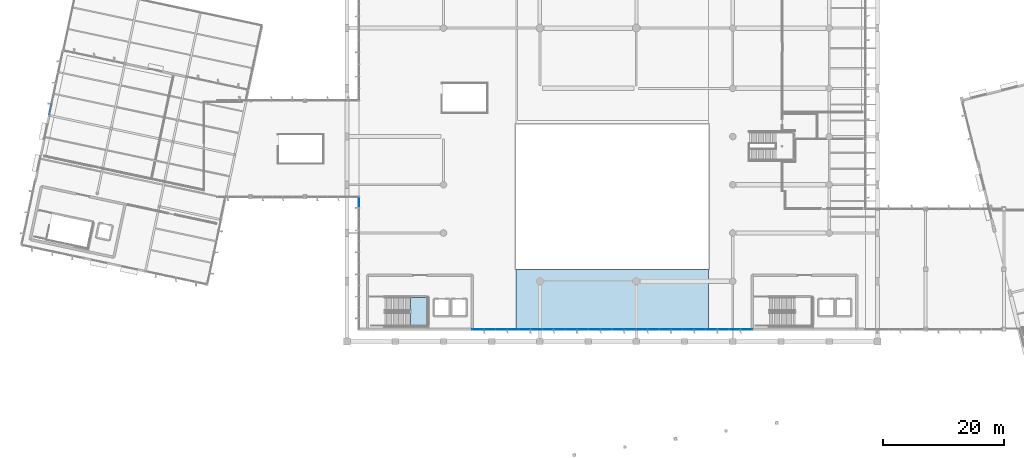
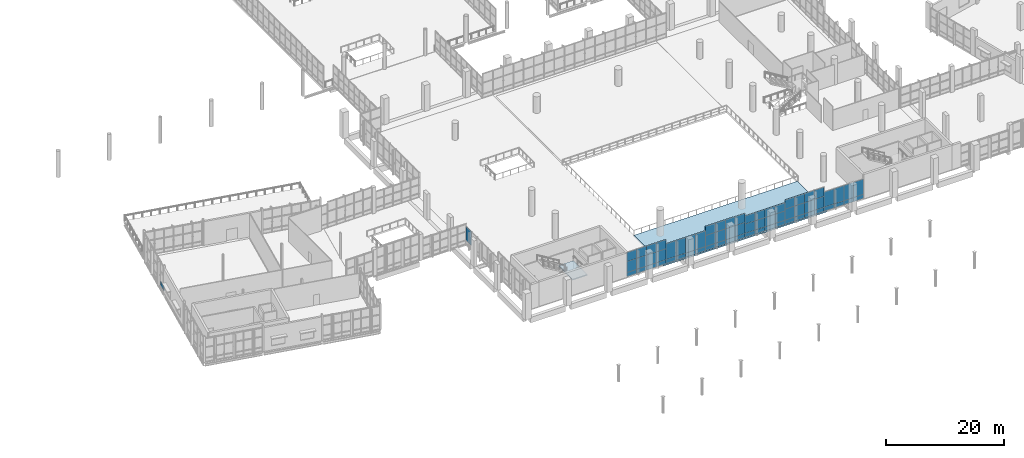
# One storey, part 121 of 176: 66 plates, 2 slabs, 9 elements without a shape of their own.
"""IFC4 building model written with IfcOpenShell, lengths in metres."""

from ifc_helpers import new_model, si_unit, direction, frame, origin, origin_2d, place, context, subcontext, project, spatial, polyline, rectangle, outline, extrude, material, layer, layer_set, type_object, element, aggregate, save


model = new_model("IFC4")

# Units and contexts
model_context = context("Model", 3, precision=1e-05, world=origin(), true_north=direction((0.0, 1.0)))
body_context = subcontext(model_context, "Body", "Model", "MODEL_VIEW")
ifc_project = project(units=[si_unit("LENGTHUNIT", "METRE"), si_unit("AREAUNIT", "SQUARE_METRE"), si_unit("VOLUMEUNIT", "CUBIC_METRE"), si_unit("PLANEANGLEUNIT", "RADIAN"), si_unit("MASSUNIT", "GRAM", prefix="KILO")], contexts=[model_context])

# Site, building, storey
site_placement = place(None, origin())
site = spatial("IfcSite", under=ifc_project, at=site_placement, CompositionType="ELEMENT")
building_placement = place(site_placement, origin())
building = spatial("IfcBuilding", under=site, at=building_placement, Name="Khorjan Park Terminus", CompositionType="ELEMENT")
storey_placement = place(building_placement, frame((0.0, 0.0, 6.0)))
storey = spatial("IfcBuildingStorey", under=building, at=storey_placement, Name="L01", CompositionType="ELEMENT", Elevation=6.0)

# Curtain wall, plates
ifc_material_1 = material(Name="Anodized Bronze Aluminium", Category="aluminium")
ifc_layer_1 = layer(ifc_material_1, 0.22)
ifc_layer_set_1 = layer_set([ifc_layer_1], Name="Anodized Bronze Aluminium")
curtain_wall_type_1 = type_object("IfcCurtainWallType", Name="CW-CONC-A", PredefinedType="NOTDEFINED", material=ifc_layer_set_1)
curtain_wall_1_placement = place(storey_placement, origin())
curtain_wall_1 = element("IfcCurtainWall", 1, at=curtain_wall_1_placement, inside=storey, type_object=curtain_wall_type_1, Name="Unitized curtain wall CW-A (CW-V2-S-L01-02)", PredefinedType="NOTDEFINED")
ifc_material_2 = material(Name="Triple Low-E High-Selectivity Glazing", Category="glass")
ifc_layer_2 = layer(ifc_material_2, 0.04)
ifc_layer_set_2 = layer_set([ifc_layer_2], Name="Triple Low-E High-Selectivity Glazing")
plate_type_1 = type_object("IfcPlateType", Name="GL-VIS-40", PredefinedType="CURTAIN_PANEL", material=ifc_layer_set_2)
plate_1_placement = place(storey_placement, frame((69.7625, 28.0, 0.8501), z_axis=(0.0, 0.0, 1.0), x_axis=(1.0, 0.0, 0.0)))
plate_1 = element("IfcPlate", 2, at=plate_1_placement, type_object=plate_type_1, Name="Curtain-wall panel VP-40 (CW-V2-S-L01-02-0-2)", PredefinedType="CURTAIN_PANEL", context=body_context, shape_type="SweptSolid", body=[
    extrude(rectangle(XDim=1.925, YDim=0.04, at=origin_2d()), origin(), (0.0, 0.0, 1.0), 2.2655),
])
plate_2_placement = place(storey_placement, frame((69.7625, 28.0, 3.1156), z_axis=(0.0, 0.0, 1.0), x_axis=(1.0, 0.0, 0.0)))
plate_2 = element("IfcPlate", 3, at=plate_2_placement, type_object=plate_type_1, Name="Curtain-wall panel VP-40 (CW-V2-S-L01-02-0-3)", PredefinedType="CURTAIN_PANEL", context=body_context, shape_type="SweptSolid", body=[
    extrude(rectangle(XDim=1.925, YDim=0.04, at=origin_2d()), origin(), (0.0, 0.0, 1.0), 1.9195),
])
plate_3_placement = place(storey_placement, frame((71.6875, 28.0, 0.8501), z_axis=(0.0, 0.0, 1.0), x_axis=(1.0, 0.0, 0.0)))
plate_3 = element("IfcPlate", 4, at=plate_3_placement, type_object=plate_type_1, Name="Curtain-wall panel VP-40 (CW-V2-S-L01-02-1-2)", PredefinedType="CURTAIN_PANEL", context=body_context, shape_type="SweptSolid", body=[
    extrude(rectangle(XDim=1.925, YDim=0.04, at=origin_2d()), origin(), (0.0, 0.0, 1.0), 2.2655),
])
plate_4_placement = place(storey_placement, frame((71.6875, 28.0, 3.1156), z_axis=(0.0, 0.0, 1.0), x_axis=(1.0, 0.0, 0.0)))
plate_4 = element("IfcPlate", 5, at=plate_4_placement, type_object=plate_type_1, Name="Curtain-wall panel VP-40 (CW-V2-S-L01-02-1-3)", PredefinedType="CURTAIN_PANEL", context=body_context, shape_type="SweptSolid", body=[
    extrude(rectangle(XDim=1.925, YDim=0.04, at=origin_2d()), origin(), (0.0, 0.0, 1.0), 1.9195),
])
plate_5_placement = place(storey_placement, frame((73.6125, 28.0, 0.8501), z_axis=(0.0, 0.0, 1.0), x_axis=(1.0, 0.0, 0.0)))
plate_5 = element("IfcPlate", 6, at=plate_5_placement, type_object=plate_type_1, Name="Curtain-wall panel VP-40 (CW-V2-S-L01-02-2-2)", PredefinedType="CURTAIN_PANEL", context=body_context, shape_type="SweptSolid", body=[
    extrude(rectangle(XDim=1.925, YDim=0.04, at=origin_2d()), origin(), (0.0, 0.0, 1.0), 2.2655),
])
plate_6_placement = place(storey_placement, frame((73.6125, 28.0, 3.1156), z_axis=(0.0, 0.0, 1.0), x_axis=(1.0, 0.0, 0.0)))
plate_6 = element("IfcPlate", 7, at=plate_6_placement, type_object=plate_type_1, Name="Curtain-wall panel VP-40 (CW-V2-S-L01-02-2-3)", PredefinedType="CURTAIN_PANEL", context=body_context, shape_type="SweptSolid", body=[
    extrude(rectangle(XDim=1.925, YDim=0.04, at=origin_2d()), origin(), (0.0, 0.0, 1.0), 1.9195),
])
plate_7_placement = place(storey_placement, frame((75.5375, 28.0, 0.8501), z_axis=(0.0, 0.0, 1.0), x_axis=(1.0, 0.0, 0.0)))
plate_7 = element("IfcPlate", 8, at=plate_7_placement, type_object=plate_type_1, Name="Curtain-wall panel VP-40 (CW-V2-S-L01-02-3-2)", PredefinedType="CURTAIN_PANEL", context=body_context, shape_type="SweptSolid", body=[
    extrude(rectangle(XDim=1.925, YDim=0.04, at=origin_2d()), origin(), (0.0, 0.0, 1.0), 2.2655),
])
plate_8_placement = place(storey_placement, frame((75.5375, 28.0, 3.1156), z_axis=(0.0, 0.0, 1.0), x_axis=(1.0, 0.0, 0.0)))
plate_8 = element("IfcPlate", 9, at=plate_8_placement, type_object=plate_type_1, Name="Curtain-wall panel VP-40 (CW-V2-S-L01-02-3-3)", PredefinedType="CURTAIN_PANEL", context=body_context, shape_type="SweptSolid", body=[
    extrude(rectangle(XDim=1.925, YDim=0.04, at=origin_2d()), origin(), (0.0, 0.0, 1.0), 1.9195),
])

curtain_wall_2_placement = place(storey_placement, origin())
curtain_wall_2 = element("IfcCurtainWall", 10, at=curtain_wall_2_placement, inside=storey, type_object=curtain_wall_type_1, Name="Unitized curtain wall CW-A (CW-V2-S-L01-03)", PredefinedType="NOTDEFINED")
plate_9_placement = place(storey_placement, frame((77.4625, 28.0, 0.85), z_axis=(0.0, 0.0, 1.0), x_axis=(1.0, 0.0, 0.0)))
plate_9 = element("IfcPlate", 11, at=plate_9_placement, type_object=plate_type_1, Name="Curtain-wall panel VP-40 (CW-V2-S-L01-03-0-2)", PredefinedType="CURTAIN_PANEL", context=body_context, shape_type="SweptSolid", body=[
    extrude(rectangle(XDim=1.925, YDim=0.04, at=origin_2d()), origin(), (0.0, 0.0, 1.0), 3.295),
])
plate_10_placement = place(storey_placement, frame((79.3875, 28.0, 0.85), z_axis=(0.0, 0.0, 1.0), x_axis=(1.0, 0.0, 0.0)))
plate_10 = element("IfcPlate", 12, at=plate_10_placement, type_object=plate_type_1, Name="Curtain-wall panel VP-40 (CW-V2-S-L01-03-1-2)", PredefinedType="CURTAIN_PANEL", context=body_context, shape_type="SweptSolid", body=[
    extrude(rectangle(XDim=1.925, YDim=0.04, at=origin_2d()), origin(), (0.0, 0.0, 1.0), 3.295),
])
plate_11_placement = place(storey_placement, frame((81.3125, 28.0, 0.85), z_axis=(0.0, 0.0, 1.0), x_axis=(1.0, 0.0, 0.0)))
plate_11 = element("IfcPlate", 13, at=plate_11_placement, type_object=plate_type_1, Name="Curtain-wall panel VP-40 (CW-V2-S-L01-03-2-2)", PredefinedType="CURTAIN_PANEL", context=body_context, shape_type="SweptSolid", body=[
    extrude(rectangle(XDim=1.925, YDim=0.04, at=origin_2d()), origin(), (0.0, 0.0, 1.0), 3.295),
])
plate_12_placement = place(storey_placement, frame((83.2375, 28.0, 0.85), z_axis=(0.0, 0.0, 1.0), x_axis=(1.0, 0.0, 0.0)))
plate_12 = element("IfcPlate", 14, at=plate_12_placement, type_object=plate_type_1, Name="Curtain-wall panel VP-40 (CW-V2-S-L01-03-3-2)", PredefinedType="CURTAIN_PANEL", context=body_context, shape_type="SweptSolid", body=[
    extrude(rectangle(XDim=1.925, YDim=0.04, at=origin_2d()), origin(), (0.0, 0.0, 1.0), 3.295),
])

curtain_wall_3_placement = place(storey_placement, origin())
curtain_wall_3 = element("IfcCurtainWall", 15, at=curtain_wall_3_placement, inside=storey, type_object=curtain_wall_type_1, Name="Unitized curtain wall CW-A (CW-V2-S-L01-04)", PredefinedType="NOTDEFINED")
plate_13_placement = place(storey_placement, frame((85.175, 28.0, 0.8499), z_axis=(0.0, 0.0, 1.0), x_axis=(1.0, 0.0, 0.0)))
plate_13 = element("IfcPlate", 16, at=plate_13_placement, type_object=plate_type_1, Name="Curtain-wall panel VP-40 (CW-V2-S-L01-04-0-2)", PredefinedType="CURTAIN_PANEL", context=body_context, shape_type="SweptSolid", body=[
    extrude(rectangle(XDim=1.95, YDim=0.04, at=origin_2d()), origin(), (0.0, 0.0, 1.0), 2.2779),
])
plate_14_placement = place(storey_placement, frame((85.175, 28.0, 3.128), z_axis=(0.0, 0.0, 1.0), x_axis=(1.0, 0.0, 0.0)))
plate_14 = element("IfcPlate", 17, at=plate_14_placement, type_object=plate_type_1, Name="Curtain-wall panel VP-40 (CW-V2-S-L01-04-0-3)", PredefinedType="CURTAIN_PANEL", context=body_context, shape_type="SweptSolid", body=[
    extrude(rectangle(XDim=1.95, YDim=0.04, at=origin_2d()), origin(), (0.0, 0.0, 1.0), 1.9271),
])
plate_15_placement = place(storey_placement, frame((87.125, 28.0, 0.8499), z_axis=(0.0, 0.0, 1.0), x_axis=(1.0, 0.0, 0.0)))
plate_15 = element("IfcPlate", 18, at=plate_15_placement, type_object=plate_type_1, Name="Curtain-wall panel VP-40 (CW-V2-S-L01-04-1-2)", PredefinedType="CURTAIN_PANEL", context=body_context, shape_type="SweptSolid", body=[
    extrude(rectangle(XDim=1.95, YDim=0.04, at=origin_2d()), origin(), (0.0, 0.0, 1.0), 2.2779),
])
plate_16_placement = place(storey_placement, frame((87.125, 28.0, 3.128), z_axis=(0.0, 0.0, 1.0), x_axis=(1.0, 0.0, 0.0)))
plate_16 = element("IfcPlate", 19, at=plate_16_placement, type_object=plate_type_1, Name="Curtain-wall panel VP-40 (CW-V2-S-L01-04-1-3)", PredefinedType="CURTAIN_PANEL", context=body_context, shape_type="SweptSolid", body=[
    extrude(rectangle(XDim=1.95, YDim=0.04, at=origin_2d()), origin(), (0.0, 0.0, 1.0), 1.9271),
])
plate_17_placement = place(storey_placement, frame((89.075, 28.0, 0.8499), z_axis=(0.0, 0.0, 1.0), x_axis=(1.0, 0.0, 0.0)))
plate_17 = element("IfcPlate", 20, at=plate_17_placement, type_object=plate_type_1, Name="Curtain-wall panel VP-40 (CW-V2-S-L01-04-2-2)", PredefinedType="CURTAIN_PANEL", context=body_context, shape_type="SweptSolid", body=[
    extrude(rectangle(XDim=1.95, YDim=0.04, at=origin_2d()), origin(), (0.0, 0.0, 1.0), 2.2779),
])
plate_18_placement = place(storey_placement, frame((89.075, 28.0, 3.128), z_axis=(0.0, 0.0, 1.0), x_axis=(1.0, 0.0, 0.0)))
plate_18 = element("IfcPlate", 21, at=plate_18_placement, type_object=plate_type_1, Name="Curtain-wall panel VP-40 (CW-V2-S-L01-04-2-3)", PredefinedType="CURTAIN_PANEL", context=body_context, shape_type="SweptSolid", body=[
    extrude(rectangle(XDim=1.95, YDim=0.04, at=origin_2d()), origin(), (0.0, 0.0, 1.0), 1.9271),
])
plate_19_placement = place(storey_placement, frame((91.025, 28.0, 0.8499), z_axis=(0.0, 0.0, 1.0), x_axis=(1.0, 0.0, 0.0)))
plate_19 = element("IfcPlate", 22, at=plate_19_placement, type_object=plate_type_1, Name="Curtain-wall panel VP-40 (CW-V2-S-L01-04-3-2)", PredefinedType="CURTAIN_PANEL", context=body_context, shape_type="SweptSolid", body=[
    extrude(rectangle(XDim=1.95, YDim=0.04, at=origin_2d()), origin(), (0.0, 0.0, 1.0), 2.2779),
])
plate_20_placement = place(storey_placement, frame((91.025, 28.0, 3.128), z_axis=(0.0, 0.0, 1.0), x_axis=(1.0, 0.0, 0.0)))
plate_20 = element("IfcPlate", 23, at=plate_20_placement, type_object=plate_type_1, Name="Curtain-wall panel VP-40 (CW-V2-S-L01-04-3-3)", PredefinedType="CURTAIN_PANEL", context=body_context, shape_type="SweptSolid", body=[
    extrude(rectangle(XDim=1.95, YDim=0.04, at=origin_2d()), origin(), (0.0, 0.0, 1.0), 1.9271),
])

curtain_wall_4_placement = place(storey_placement, origin())
curtain_wall_4 = element("IfcCurtainWall", 24, at=curtain_wall_4_placement, inside=storey, type_object=curtain_wall_type_1, Name="Unitized curtain wall CW-A (CW-V2-S-L01-05)", PredefinedType="NOTDEFINED")
plate_21_placement = place(storey_placement, frame((92.975, 28.0, 0.8499), z_axis=(0.0, 0.0, 1.0), x_axis=(1.0, 0.0, 0.0)))
plate_21 = element("IfcPlate", 25, at=plate_21_placement, type_object=plate_type_1, Name="Curtain-wall panel VP-40 (CW-V2-S-L01-05-0-2)", PredefinedType="CURTAIN_PANEL", context=body_context, shape_type="SweptSolid", body=[
    extrude(rectangle(XDim=1.95, YDim=0.04, at=origin_2d()), origin(), (0.0, 0.0, 1.0), 1.9307),
])
plate_22_placement = place(storey_placement, frame((92.975, 28.0, 2.7807), z_axis=(0.0, 0.0, 1.0), x_axis=(1.0, 0.0, 0.0)))
plate_22 = element("IfcPlate", 26, at=plate_22_placement, type_object=plate_type_1, Name="Curtain-wall panel VP-40 (CW-V2-S-L01-05-0-3)", PredefinedType="CURTAIN_PANEL", context=body_context, shape_type="SweptSolid", body=[
    extrude(rectangle(XDim=1.95, YDim=0.04, at=origin_2d()), origin(), (0.0, 0.0, 1.0), 1.7143),
])
plate_23_placement = place(storey_placement, frame((94.925, 28.0, 0.8499), z_axis=(0.0, 0.0, 1.0), x_axis=(1.0, 0.0, 0.0)))
plate_23 = element("IfcPlate", 27, at=plate_23_placement, type_object=plate_type_1, Name="Curtain-wall panel VP-40 (CW-V2-S-L01-05-1-2)", PredefinedType="CURTAIN_PANEL", context=body_context, shape_type="SweptSolid", body=[
    extrude(rectangle(XDim=1.95, YDim=0.04, at=origin_2d()), origin(), (0.0, 0.0, 1.0), 1.9307),
])
plate_24_placement = place(storey_placement, frame((94.925, 28.0, 2.7807), z_axis=(0.0, 0.0, 1.0), x_axis=(1.0, 0.0, 0.0)))
plate_24 = element("IfcPlate", 28, at=plate_24_placement, type_object=plate_type_1, Name="Curtain-wall panel VP-40 (CW-V2-S-L01-05-1-3)", PredefinedType="CURTAIN_PANEL", context=body_context, shape_type="SweptSolid", body=[
    extrude(rectangle(XDim=1.95, YDim=0.04, at=origin_2d()), origin(), (0.0, 0.0, 1.0), 1.7143),
])
plate_25_placement = place(storey_placement, frame((96.875, 28.0, 0.8499), z_axis=(0.0, 0.0, 1.0), x_axis=(1.0, 0.0, 0.0)))
plate_25 = element("IfcPlate", 29, at=plate_25_placement, type_object=plate_type_1, Name="Curtain-wall panel VP-40 (CW-V2-S-L01-05-2-2)", PredefinedType="CURTAIN_PANEL", context=body_context, shape_type="SweptSolid", body=[
    extrude(rectangle(XDim=1.95, YDim=0.04, at=origin_2d()), origin(), (0.0, 0.0, 1.0), 1.9307),
])
plate_26_placement = place(storey_placement, frame((96.875, 28.0, 2.7807), z_axis=(0.0, 0.0, 1.0), x_axis=(1.0, 0.0, 0.0)))
plate_26 = element("IfcPlate", 30, at=plate_26_placement, type_object=plate_type_1, Name="Curtain-wall panel VP-40 (CW-V2-S-L01-05-2-3)", PredefinedType="CURTAIN_PANEL", context=body_context, shape_type="SweptSolid", body=[
    extrude(rectangle(XDim=1.95, YDim=0.04, at=origin_2d()), origin(), (0.0, 0.0, 1.0), 1.7143),
])
plate_27_placement = place(storey_placement, frame((98.825, 28.0, 0.8499), z_axis=(0.0, 0.0, 1.0), x_axis=(1.0, 0.0, 0.0)))
plate_27 = element("IfcPlate", 31, at=plate_27_placement, type_object=plate_type_1, Name="Curtain-wall panel VP-40 (CW-V2-S-L01-05-3-2)", PredefinedType="CURTAIN_PANEL", context=body_context, shape_type="SweptSolid", body=[
    extrude(rectangle(XDim=1.95, YDim=0.04, at=origin_2d()), origin(), (0.0, 0.0, 1.0), 1.9307),
])
plate_28_placement = place(storey_placement, frame((98.825, 28.0, 2.7807), z_axis=(0.0, 0.0, 1.0), x_axis=(1.0, 0.0, 0.0)))
plate_28 = element("IfcPlate", 32, at=plate_28_placement, type_object=plate_type_1, Name="Curtain-wall panel VP-40 (CW-V2-S-L01-05-3-3)", PredefinedType="CURTAIN_PANEL", context=body_context, shape_type="SweptSolid", body=[
    extrude(rectangle(XDim=1.95, YDim=0.04, at=origin_2d()), origin(), (0.0, 0.0, 1.0), 1.7143),
])

curtain_wall_5_placement = place(storey_placement, origin())
curtain_wall_5 = element("IfcCurtainWall", 33, at=curtain_wall_5_placement, inside=storey, type_object=curtain_wall_type_1, Name="Unitized curtain wall CW-A (CW-V2-S-L01-06)", PredefinedType="NOTDEFINED")
plate_29_placement = place(storey_placement, frame((100.7625, 28.0, 0.8499), z_axis=(0.0, 0.0, 1.0), x_axis=(1.0, 0.0, 0.0)))
plate_29 = element("IfcPlate", 34, at=plate_29_placement, type_object=plate_type_1, Name="Curtain-wall panel VP-40 (CW-V2-S-L01-06-0-2)", PredefinedType="CURTAIN_PANEL", context=body_context, shape_type="SweptSolid", body=[
    extrude(rectangle(XDim=1.925, YDim=0.04, at=origin_2d()), origin(), (0.0, 0.0, 1.0), 2.2779),
])
plate_30_placement = place(storey_placement, frame((100.7625, 28.0, 3.128), z_axis=(0.0, 0.0, 1.0), x_axis=(1.0, 0.0, 0.0)))
plate_30 = element("IfcPlate", 35, at=plate_30_placement, type_object=plate_type_1, Name="Curtain-wall panel VP-40 (CW-V2-S-L01-06-0-3)", PredefinedType="CURTAIN_PANEL", context=body_context, shape_type="SweptSolid", body=[
    extrude(rectangle(XDim=1.925, YDim=0.04, at=origin_2d()), origin(), (0.0, 0.0, 1.0), 1.9271),
])
plate_31_placement = place(storey_placement, frame((102.6875, 28.0, 0.8499), z_axis=(0.0, 0.0, 1.0), x_axis=(1.0, 0.0, 0.0)))
plate_31 = element("IfcPlate", 36, at=plate_31_placement, type_object=plate_type_1, Name="Curtain-wall panel VP-40 (CW-V2-S-L01-06-1-2)", PredefinedType="CURTAIN_PANEL", context=body_context, shape_type="SweptSolid", body=[
    extrude(rectangle(XDim=1.925, YDim=0.04, at=origin_2d()), origin(), (0.0, 0.0, 1.0), 2.2779),
])
plate_32_placement = place(storey_placement, frame((102.6875, 28.0, 3.128), z_axis=(0.0, 0.0, 1.0), x_axis=(1.0, 0.0, 0.0)))
plate_32 = element("IfcPlate", 37, at=plate_32_placement, type_object=plate_type_1, Name="Curtain-wall panel VP-40 (CW-V2-S-L01-06-1-3)", PredefinedType="CURTAIN_PANEL", context=body_context, shape_type="SweptSolid", body=[
    extrude(rectangle(XDim=1.925, YDim=0.04, at=origin_2d()), origin(), (0.0, 0.0, 1.0), 1.9271),
])
plate_33_placement = place(storey_placement, frame((104.6125, 28.0, 0.8499), z_axis=(0.0, 0.0, 1.0), x_axis=(1.0, 0.0, 0.0)))
plate_33 = element("IfcPlate", 38, at=plate_33_placement, type_object=plate_type_1, Name="Curtain-wall panel VP-40 (CW-V2-S-L01-06-2-2)", PredefinedType="CURTAIN_PANEL", context=body_context, shape_type="SweptSolid", body=[
    extrude(rectangle(XDim=1.925, YDim=0.04, at=origin_2d()), origin(), (0.0, 0.0, 1.0), 2.2779),
])
plate_34_placement = place(storey_placement, frame((104.6125, 28.0, 3.128), z_axis=(0.0, 0.0, 1.0), x_axis=(1.0, 0.0, 0.0)))
plate_34 = element("IfcPlate", 39, at=plate_34_placement, type_object=plate_type_1, Name="Curtain-wall panel VP-40 (CW-V2-S-L01-06-2-3)", PredefinedType="CURTAIN_PANEL", context=body_context, shape_type="SweptSolid", body=[
    extrude(rectangle(XDim=1.925, YDim=0.04, at=origin_2d()), origin(), (0.0, 0.0, 1.0), 1.9271),
])
plate_35_placement = place(storey_placement, frame((106.5375, 28.0, 0.8499), z_axis=(0.0, 0.0, 1.0), x_axis=(1.0, 0.0, 0.0)))
plate_35 = element("IfcPlate", 40, at=plate_35_placement, type_object=plate_type_1, Name="Curtain-wall panel VP-40 (CW-V2-S-L01-06-3-2)", PredefinedType="CURTAIN_PANEL", context=body_context, shape_type="SweptSolid", body=[
    extrude(rectangle(XDim=1.925, YDim=0.04, at=origin_2d()), origin(), (0.0, 0.0, 1.0), 2.2779),
])
plate_36_placement = place(storey_placement, frame((106.5375, 28.0, 3.128), z_axis=(0.0, 0.0, 1.0), x_axis=(1.0, 0.0, 0.0)))
plate_36 = element("IfcPlate", 41, at=plate_36_placement, type_object=plate_type_1, Name="Curtain-wall panel VP-40 (CW-V2-S-L01-06-3-3)", PredefinedType="CURTAIN_PANEL", context=body_context, shape_type="SweptSolid", body=[
    extrude(rectangle(XDim=1.925, YDim=0.04, at=origin_2d()), origin(), (0.0, 0.0, 1.0), 1.9271),
])

curtain_wall_6_placement = place(storey_placement, origin())
curtain_wall_6 = element("IfcCurtainWall", 42, at=curtain_wall_6_placement, inside=storey, type_object=curtain_wall_type_1, Name="Unitized curtain wall CW-A (CW-V2-S-L01-07)", PredefinedType="NOTDEFINED")
plate_37_placement = place(storey_placement, frame((108.4625, 28.0, 0.85), z_axis=(0.0, 0.0, 1.0), x_axis=(1.0, 0.0, 0.0)))
plate_37 = element("IfcPlate", 43, at=plate_37_placement, type_object=plate_type_1, Name="Curtain-wall panel VP-40 (CW-V2-S-L01-07-0-2)", PredefinedType="CURTAIN_PANEL", context=body_context, shape_type="SweptSolid", body=[
    extrude(rectangle(XDim=1.925, YDim=0.04, at=origin_2d()), origin(), (0.0, 0.0, 1.0), 3.175),
])
plate_38_placement = place(storey_placement, frame((110.3875, 28.0, 0.85), z_axis=(0.0, 0.0, 1.0), x_axis=(1.0, 0.0, 0.0)))
plate_38 = element("IfcPlate", 44, at=plate_38_placement, type_object=plate_type_1, Name="Curtain-wall panel VP-40 (CW-V2-S-L01-07-1-2)", PredefinedType="CURTAIN_PANEL", context=body_context, shape_type="SweptSolid", body=[
    extrude(rectangle(XDim=1.925, YDim=0.04, at=origin_2d()), origin(), (0.0, 0.0, 1.0), 3.175),
])
plate_39_placement = place(storey_placement, frame((112.3125, 28.0, 0.85), z_axis=(0.0, 0.0, 1.0), x_axis=(1.0, 0.0, 0.0)))
plate_39 = element("IfcPlate", 45, at=plate_39_placement, type_object=plate_type_1, Name="Curtain-wall panel VP-40 (CW-V2-S-L01-07-2-2)", PredefinedType="CURTAIN_PANEL", context=body_context, shape_type="SweptSolid", body=[
    extrude(rectangle(XDim=1.925, YDim=0.04, at=origin_2d()), origin(), (0.0, 0.0, 1.0), 3.175),
])
plate_40_placement = place(storey_placement, frame((114.2375, 28.0, 0.85), z_axis=(0.0, 0.0, 1.0), x_axis=(1.0, 0.0, 0.0)))
plate_40 = element("IfcPlate", 46, at=plate_40_placement, type_object=plate_type_1, Name="Curtain-wall panel VP-40 (CW-V2-S-L01-07-3-2)", PredefinedType="CURTAIN_PANEL", context=body_context, shape_type="SweptSolid", body=[
    extrude(rectangle(XDim=1.925, YDim=0.04, at=origin_2d()), origin(), (0.0, 0.0, 1.0), 3.175),
])

# Curtain wall, plate
curtain_wall_7_placement = place(storey_placement, origin())
curtain_wall_7 = element("IfcCurtainWall", 47, at=curtain_wall_7_placement, inside=storey, type_object=curtain_wall_type_1, Name="Unitized curtain wall CW-A (CW-V2-W-L01-02)", PredefinedType="NOTDEFINED")
plate_41_placement = place(storey_placement, frame((50.0, 49.0833, 0.806), z_axis=(0.0, 0.0, 1.0), x_axis=(0.0, -1.0, 0.0)))
plate_41 = element("IfcPlate", 48, at=plate_41_placement, type_object=plate_type_1, Name="Curtain-wall panel VP-40 (CW-V2-W-L01-02-0-2)", PredefinedType="CURTAIN_PANEL", context=body_context, shape_type="SweptSolid", body=[
    extrude(rectangle(XDim=1.8333, YDim=0.04, at=origin_2d()), origin(), (0.0, 0.0, 1.0), 2.869),
])
aggregate(curtain_wall_7, [plate_41])

# Slab
ifc_material_3 = material(Name="Concrete C40/50", Category="concrete")
ifc_layer_3 = layer(ifc_material_3, 0.34)
ifc_layer_set_3 = layer_set([ifc_layer_3], Name="Concrete C40/50")
slab_type_1 = type_object("IfcSlabType", Name="SL-FLR-340", PredefinedType="FLOOR", material=ifc_layer_set_3)
slab_1_placement = place(storey_placement, frame((0.0, 0.0, -0.34)))
element("IfcSlab", 49, at=slab_1_placement, inside=storey, type_object=slab_type_1, Name="Structural floor slab FS-34 (L01-V2-S)", PredefinedType="FLOOR", context=body_context, shape_type="SweptSolid", body=[
    extrude(outline(polyline([(76.0, 38.0), (108.0, 38.0), (108.0, 28.0), (76.0, 28.0), (76.0, 38.0)])), origin(), (0.0, 0.0, 1.0), 0.34),
])

# Stair, slab
stair_type = type_object("IfcStairType", Name="STR-CORE-220", PredefinedType="HALF_TURN_STAIR", material=ifc_material_3)
stair_placement = place(storey_placement, origin())
stair = element("IfcStair", 50, at=stair_placement, inside=storey, type_object=stair_type, Name="L01 West Concourse Core exit stair ST-01", PredefinedType="HALF_TURN_STAIR")
ifc_layer_4 = layer(ifc_material_3, 0.2)
ifc_layer_set_4 = layer_set([ifc_layer_4], Name="Concrete C40/50")
slab_type_2 = type_object("IfcSlabType", Name="SL-LND-200", PredefinedType="LANDING", material=ifc_layer_set_4)
slab_2_placement = place(storey_placement, frame((0.0, 0.0, 2.5)))
slab_2 = element("IfcSlab", 51, at=slab_2_placement, type_object=slab_type_2, Name="ST-01 landing 1", PredefinedType="LANDING", context=body_context, shape_type="SweptSolid", body=[
    extrude(outline(polyline([(58.52, 28.55), (61.4, 28.55), (61.4, 33.31), (58.52, 33.31), (58.52, 28.55)])), origin(), (0.0, 0.0, 1.0), 0.2),
])
aggregate(stair, [slab_2])

# Plate
ifc_material_4 = material(Name="Insulated Anodized Bronze Spandrel Panel")
ifc_layer_5 = layer(ifc_material_4, 0.045)
ifc_layer_set_5 = layer_set([ifc_layer_5], Name="Insulated Anodized Bronze Spandrel Panel")
plate_type_2 = type_object("IfcPlateType", Name="SP-AL-45", PredefinedType="CURTAIN_PANEL", material=ifc_layer_set_5)
plate_42_placement = place(storey_placement, frame((69.7625, 28.0, -0.01), z_axis=(0.0, 0.0, 1.0), x_axis=(1.0, 0.0, 0.0)))
plate_42 = element("IfcPlate", 52, at=plate_42_placement, type_object=plate_type_2, Name="Curtain-wall panel SP-A45 (CW-V2-S-L01-02-0-1)", PredefinedType="CURTAIN_PANEL", context=body_context, shape_type="SweptSolid", body=[
    extrude(rectangle(XDim=1.925, YDim=0.045, at=origin_2d()), origin(), (0.0, 0.0, 1.0), 0.86),
])

plate_43_placement = place(storey_placement, frame((71.6875, 28.0, -0.01), z_axis=(0.0, 0.0, 1.0), x_axis=(1.0, 0.0, 0.0)))
plate_43 = element("IfcPlate", 53, at=plate_43_placement, type_object=plate_type_2, Name="Curtain-wall panel SP-A45 (CW-V2-S-L01-02-1-1)", PredefinedType="CURTAIN_PANEL", context=body_context, shape_type="SweptSolid", body=[
    extrude(rectangle(XDim=1.925, YDim=0.045, at=origin_2d()), origin(), (0.0, 0.0, 1.0), 0.86),
])

plate_44_placement = place(storey_placement, frame((73.6125, 28.0, -0.01), z_axis=(0.0, 0.0, 1.0), x_axis=(1.0, 0.0, 0.0)))
plate_44 = element("IfcPlate", 54, at=plate_44_placement, type_object=plate_type_2, Name="Curtain-wall panel SP-A45 (CW-V2-S-L01-02-2-1)", PredefinedType="CURTAIN_PANEL", context=body_context, shape_type="SweptSolid", body=[
    extrude(rectangle(XDim=1.925, YDim=0.045, at=origin_2d()), origin(), (0.0, 0.0, 1.0), 0.86),
])

plate_45_placement = place(storey_placement, frame((75.5375, 28.0, -0.01), z_axis=(0.0, 0.0, 1.0), x_axis=(1.0, 0.0, 0.0)))
plate_45 = element("IfcPlate", 55, at=plate_45_placement, type_object=plate_type_2, Name="Curtain-wall panel SP-A45 (CW-V2-S-L01-02-3-1)", PredefinedType="CURTAIN_PANEL", context=body_context, shape_type="SweptSolid", body=[
    extrude(rectangle(XDim=1.925, YDim=0.045, at=origin_2d()), origin(), (0.0, 0.0, 1.0), 0.86),
])

aggregate(curtain_wall_1, [plate_42, plate_1, plate_2, plate_43, plate_3, plate_4, plate_44, plate_5, plate_6, plate_45, plate_7, plate_8])

plate_46_placement = place(storey_placement, frame((77.4625, 28.0, -0.01), z_axis=(0.0, 0.0, 1.0), x_axis=(1.0, 0.0, 0.0)))
plate_46 = element("IfcPlate", 56, at=plate_46_placement, type_object=plate_type_2, Name="Curtain-wall panel SP-A45 (CW-V2-S-L01-03-0-1)", PredefinedType="CURTAIN_PANEL", context=body_context, shape_type="SweptSolid", body=[
    extrude(rectangle(XDim=1.925, YDim=0.045, at=origin_2d()), origin(), (0.0, 0.0, 1.0), 0.86),
])

plate_47_placement = place(storey_placement, frame((79.3875, 28.0, -0.01), z_axis=(0.0, 0.0, 1.0), x_axis=(1.0, 0.0, 0.0)))
plate_47 = element("IfcPlate", 57, at=plate_47_placement, type_object=plate_type_2, Name="Curtain-wall panel SP-A45 (CW-V2-S-L01-03-1-1)", PredefinedType="CURTAIN_PANEL", context=body_context, shape_type="SweptSolid", body=[
    extrude(rectangle(XDim=1.925, YDim=0.045, at=origin_2d()), origin(), (0.0, 0.0, 1.0), 0.86),
])

plate_48_placement = place(storey_placement, frame((81.3125, 28.0, -0.01), z_axis=(0.0, 0.0, 1.0), x_axis=(1.0, 0.0, 0.0)))
plate_48 = element("IfcPlate", 58, at=plate_48_placement, type_object=plate_type_2, Name="Curtain-wall panel SP-A45 (CW-V2-S-L01-03-2-1)", PredefinedType="CURTAIN_PANEL", context=body_context, shape_type="SweptSolid", body=[
    extrude(rectangle(XDim=1.925, YDim=0.045, at=origin_2d()), origin(), (0.0, 0.0, 1.0), 0.86),
])

plate_49_placement = place(storey_placement, frame((83.2375, 28.0, -0.01), z_axis=(0.0, 0.0, 1.0), x_axis=(1.0, 0.0, 0.0)))
plate_49 = element("IfcPlate", 59, at=plate_49_placement, type_object=plate_type_2, Name="Curtain-wall panel SP-A45 (CW-V2-S-L01-03-3-1)", PredefinedType="CURTAIN_PANEL", context=body_context, shape_type="SweptSolid", body=[
    extrude(rectangle(XDim=1.925, YDim=0.045, at=origin_2d()), origin(), (0.0, 0.0, 1.0), 0.86),
])

aggregate(curtain_wall_2, [plate_46, plate_9, plate_47, plate_10, plate_48, plate_11, plate_49, plate_12])

plate_50_placement = place(storey_placement, frame((85.175, 28.0, -0.01), z_axis=(0.0, 0.0, 1.0), x_axis=(1.0, 0.0, 0.0)))
plate_50 = element("IfcPlate", 60, at=plate_50_placement, type_object=plate_type_2, Name="Curtain-wall panel SP-A45 (CW-V2-S-L01-04-0-1)", PredefinedType="CURTAIN_PANEL", context=body_context, shape_type="SweptSolid", body=[
    extrude(rectangle(XDim=1.95, YDim=0.045, at=origin_2d()), origin(), (0.0, 0.0, 1.0), 0.86),
])

plate_51_placement = place(storey_placement, frame((87.125, 28.0, -0.01), z_axis=(0.0, 0.0, 1.0), x_axis=(1.0, 0.0, 0.0)))
plate_51 = element("IfcPlate", 61, at=plate_51_placement, type_object=plate_type_2, Name="Curtain-wall panel SP-A45 (CW-V2-S-L01-04-1-1)", PredefinedType="CURTAIN_PANEL", context=body_context, shape_type="SweptSolid", body=[
    extrude(rectangle(XDim=1.95, YDim=0.045, at=origin_2d()), origin(), (0.0, 0.0, 1.0), 0.86),
])

plate_52_placement = place(storey_placement, frame((89.075, 28.0, -0.01), z_axis=(0.0, 0.0, 1.0), x_axis=(1.0, 0.0, 0.0)))
plate_52 = element("IfcPlate", 62, at=plate_52_placement, type_object=plate_type_2, Name="Curtain-wall panel SP-A45 (CW-V2-S-L01-04-2-1)", PredefinedType="CURTAIN_PANEL", context=body_context, shape_type="SweptSolid", body=[
    extrude(rectangle(XDim=1.95, YDim=0.045, at=origin_2d()), origin(), (0.0, 0.0, 1.0), 0.86),
])

plate_53_placement = place(storey_placement, frame((91.025, 28.0, -0.01), z_axis=(0.0, 0.0, 1.0), x_axis=(1.0, 0.0, 0.0)))
plate_53 = element("IfcPlate", 63, at=plate_53_placement, type_object=plate_type_2, Name="Curtain-wall panel SP-A45 (CW-V2-S-L01-04-3-1)", PredefinedType="CURTAIN_PANEL", context=body_context, shape_type="SweptSolid", body=[
    extrude(rectangle(XDim=1.95, YDim=0.045, at=origin_2d()), origin(), (0.0, 0.0, 1.0), 0.86),
])

aggregate(curtain_wall_3, [plate_50, plate_13, plate_14, plate_51, plate_15, plate_16, plate_52, plate_17, plate_18, plate_53, plate_19, plate_20])

plate_54_placement = place(storey_placement, frame((92.975, 28.0, -0.01), z_axis=(0.0, 0.0, 1.0), x_axis=(1.0, 0.0, 0.0)))
plate_54 = element("IfcPlate", 64, at=plate_54_placement, type_object=plate_type_2, Name="Curtain-wall panel SP-A45 (CW-V2-S-L01-05-0-1)", PredefinedType="CURTAIN_PANEL", context=body_context, shape_type="SweptSolid", body=[
    extrude(rectangle(XDim=1.95, YDim=0.045, at=origin_2d()), origin(), (0.0, 0.0, 1.0), 0.86),
])

plate_55_placement = place(storey_placement, frame((94.925, 28.0, -0.01), z_axis=(0.0, 0.0, 1.0), x_axis=(1.0, 0.0, 0.0)))
plate_55 = element("IfcPlate", 65, at=plate_55_placement, type_object=plate_type_2, Name="Curtain-wall panel SP-A45 (CW-V2-S-L01-05-1-1)", PredefinedType="CURTAIN_PANEL", context=body_context, shape_type="SweptSolid", body=[
    extrude(rectangle(XDim=1.95, YDim=0.045, at=origin_2d()), origin(), (0.0, 0.0, 1.0), 0.86),
])

plate_56_placement = place(storey_placement, frame((96.875, 28.0, -0.01), z_axis=(0.0, 0.0, 1.0), x_axis=(1.0, 0.0, 0.0)))
plate_56 = element("IfcPlate", 66, at=plate_56_placement, type_object=plate_type_2, Name="Curtain-wall panel SP-A45 (CW-V2-S-L01-05-2-1)", PredefinedType="CURTAIN_PANEL", context=body_context, shape_type="SweptSolid", body=[
    extrude(rectangle(XDim=1.95, YDim=0.045, at=origin_2d()), origin(), (0.0, 0.0, 1.0), 0.86),
])

plate_57_placement = place(storey_placement, frame((98.825, 28.0, -0.01), z_axis=(0.0, 0.0, 1.0), x_axis=(1.0, 0.0, 0.0)))
plate_57 = element("IfcPlate", 67, at=plate_57_placement, type_object=plate_type_2, Name="Curtain-wall panel SP-A45 (CW-V2-S-L01-05-3-1)", PredefinedType="CURTAIN_PANEL", context=body_context, shape_type="SweptSolid", body=[
    extrude(rectangle(XDim=1.95, YDim=0.045, at=origin_2d()), origin(), (0.0, 0.0, 1.0), 0.86),
])

aggregate(curtain_wall_4, [plate_54, plate_21, plate_22, plate_55, plate_23, plate_24, plate_56, plate_25, plate_26, plate_57, plate_27, plate_28])

plate_58_placement = place(storey_placement, frame((100.7625, 28.0, -0.01), z_axis=(0.0, 0.0, 1.0), x_axis=(1.0, 0.0, 0.0)))
plate_58 = element("IfcPlate", 68, at=plate_58_placement, type_object=plate_type_2, Name="Curtain-wall panel SP-A45 (CW-V2-S-L01-06-0-1)", PredefinedType="CURTAIN_PANEL", context=body_context, shape_type="SweptSolid", body=[
    extrude(rectangle(XDim=1.925, YDim=0.045, at=origin_2d()), origin(), (0.0, 0.0, 1.0), 0.86),
])

plate_59_placement = place(storey_placement, frame((102.6875, 28.0, -0.01), z_axis=(0.0, 0.0, 1.0), x_axis=(1.0, 0.0, 0.0)))
plate_59 = element("IfcPlate", 69, at=plate_59_placement, type_object=plate_type_2, Name="Curtain-wall panel SP-A45 (CW-V2-S-L01-06-1-1)", PredefinedType="CURTAIN_PANEL", context=body_context, shape_type="SweptSolid", body=[
    extrude(rectangle(XDim=1.925, YDim=0.045, at=origin_2d()), origin(), (0.0, 0.0, 1.0), 0.86),
])

plate_60_placement = place(storey_placement, frame((104.6125, 28.0, -0.01), z_axis=(0.0, 0.0, 1.0), x_axis=(1.0, 0.0, 0.0)))
plate_60 = element("IfcPlate", 70, at=plate_60_placement, type_object=plate_type_2, Name="Curtain-wall panel SP-A45 (CW-V2-S-L01-06-2-1)", PredefinedType="CURTAIN_PANEL", context=body_context, shape_type="SweptSolid", body=[
    extrude(rectangle(XDim=1.925, YDim=0.045, at=origin_2d()), origin(), (0.0, 0.0, 1.0), 0.86),
])

plate_61_placement = place(storey_placement, frame((106.5375, 28.0, -0.01), z_axis=(0.0, 0.0, 1.0), x_axis=(1.0, 0.0, 0.0)))
plate_61 = element("IfcPlate", 71, at=plate_61_placement, type_object=plate_type_2, Name="Curtain-wall panel SP-A45 (CW-V2-S-L01-06-3-1)", PredefinedType="CURTAIN_PANEL", context=body_context, shape_type="SweptSolid", body=[
    extrude(rectangle(XDim=1.925, YDim=0.045, at=origin_2d()), origin(), (0.0, 0.0, 1.0), 0.86),
])

aggregate(curtain_wall_5, [plate_58, plate_29, plate_30, plate_59, plate_31, plate_32, plate_60, plate_33, plate_34, plate_61, plate_35, plate_36])

plate_62_placement = place(storey_placement, frame((108.4625, 28.0, -0.01), z_axis=(0.0, 0.0, 1.0), x_axis=(1.0, 0.0, 0.0)))
plate_62 = element("IfcPlate", 72, at=plate_62_placement, type_object=plate_type_2, Name="Curtain-wall panel SP-A45 (CW-V2-S-L01-07-0-1)", PredefinedType="CURTAIN_PANEL", context=body_context, shape_type="SweptSolid", body=[
    extrude(rectangle(XDim=1.925, YDim=0.045, at=origin_2d()), origin(), (0.0, 0.0, 1.0), 0.86),
])

plate_63_placement = place(storey_placement, frame((110.3875, 28.0, -0.01), z_axis=(0.0, 0.0, 1.0), x_axis=(1.0, 0.0, 0.0)))
plate_63 = element("IfcPlate", 73, at=plate_63_placement, type_object=plate_type_2, Name="Curtain-wall panel SP-A45 (CW-V2-S-L01-07-1-1)", PredefinedType="CURTAIN_PANEL", context=body_context, shape_type="SweptSolid", body=[
    extrude(rectangle(XDim=1.925, YDim=0.045, at=origin_2d()), origin(), (0.0, 0.0, 1.0), 0.86),
])

plate_64_placement = place(storey_placement, frame((112.3125, 28.0, -0.01), z_axis=(0.0, 0.0, 1.0), x_axis=(1.0, 0.0, 0.0)))
plate_64 = element("IfcPlate", 74, at=plate_64_placement, type_object=plate_type_2, Name="Curtain-wall panel SP-A45 (CW-V2-S-L01-07-2-1)", PredefinedType="CURTAIN_PANEL", context=body_context, shape_type="SweptSolid", body=[
    extrude(rectangle(XDim=1.925, YDim=0.045, at=origin_2d()), origin(), (0.0, 0.0, 1.0), 0.86),
])

plate_65_placement = place(storey_placement, frame((114.2375, 28.0, -0.01), z_axis=(0.0, 0.0, 1.0), x_axis=(1.0, 0.0, 0.0)))
plate_65 = element("IfcPlate", 75, at=plate_65_placement, type_object=plate_type_2, Name="Curtain-wall panel SP-A45 (CW-V2-S-L01-07-3-1)", PredefinedType="CURTAIN_PANEL", context=body_context, shape_type="SweptSolid", body=[
    extrude(rectangle(XDim=1.925, YDim=0.045, at=origin_2d()), origin(), (0.0, 0.0, 1.0), 0.86),
])

aggregate(curtain_wall_6, [plate_62, plate_37, plate_63, plate_38, plate_64, plate_39, plate_65, plate_40])

# Curtain wall, plate
ifc_layer_6 = layer(ifc_material_1, 0.22)
ifc_layer_set_6 = layer_set([ifc_layer_6], Name="Anodized Bronze Aluminium")
curtain_wall_type_2 = type_object("IfcCurtainWallType", Name="CW-PAV-C", PredefinedType="NOTDEFINED", material=ifc_layer_set_6)
curtain_wall_8_placement = place(storey_placement, origin())
curtain_wall_8 = element("IfcCurtainWall", 76, at=curtain_wall_8_placement, inside=storey, type_object=curtain_wall_type_2, Name="Unitized curtain wall CW-C (CW-V4-W-L01-B01)", PredefinedType="NOTDEFINED")
plate_66_placement = place(storey_placement, frame((-1.2128, 64.5216, -0.01), z_axis=(0.0, 0.0, 1.0), x_axis=(-0.207906749457, -0.978148651039, 0.0)))
plate_66 = element("IfcPlate", 77, at=plate_66_placement, type_object=plate_type_2, Name="Curtain-wall panel SP-A45 (CW-V4-W-L01-B01-5-1)", PredefinedType="CURTAIN_PANEL", context=body_context, shape_type="SweptSolid", body=[
    extrude(rectangle(XDim=1.7901, YDim=0.045, at=origin_2d()), origin(), (0.0, 0.0, 1.0), 0.86),
])
aggregate(curtain_wall_8, [plate_66])

save(model, "model.ifc")
